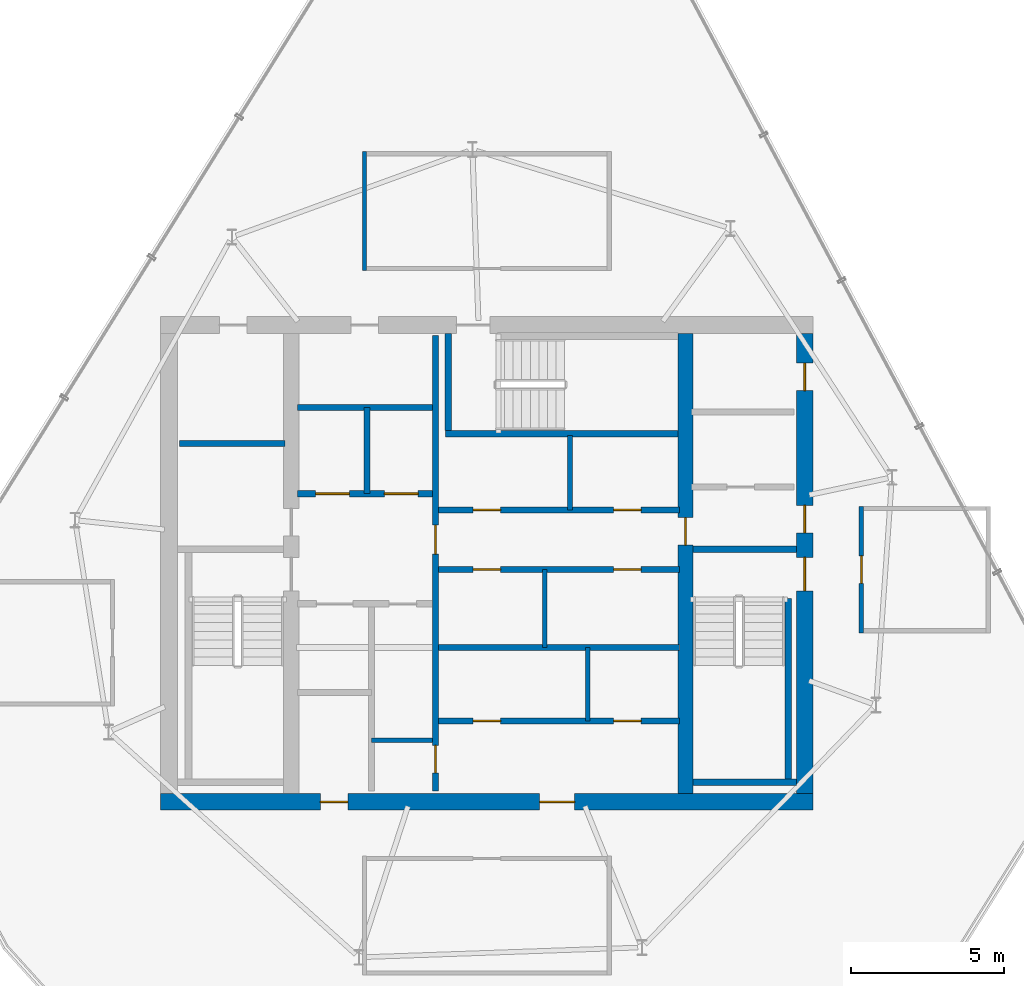
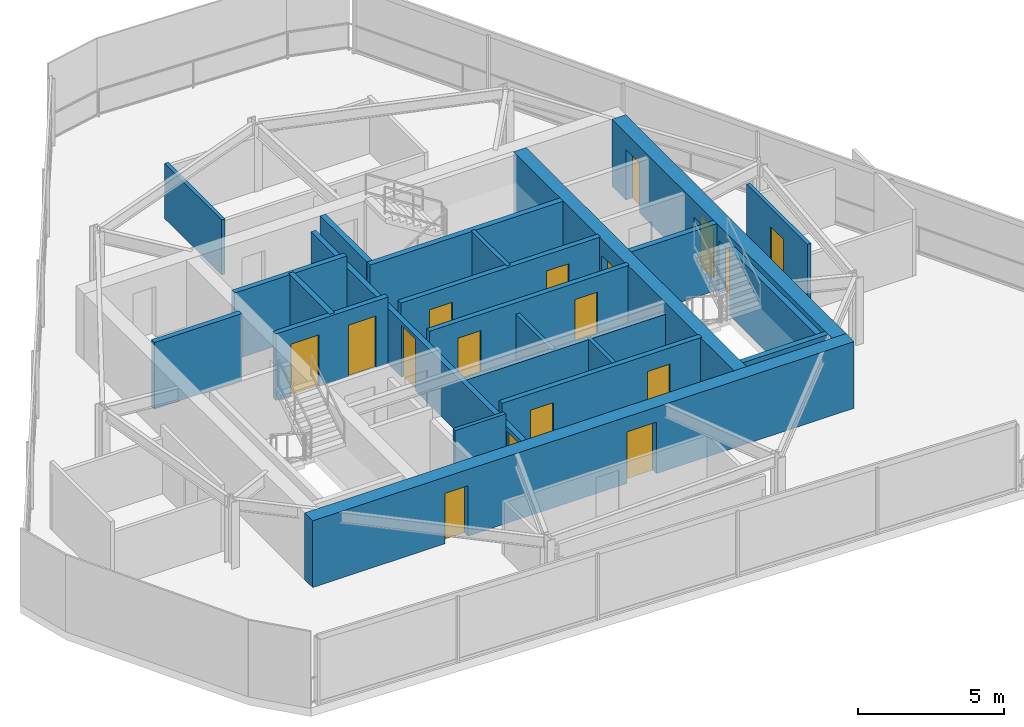
# One storey, part 14 of 16: 23 walls, 17 doors, 17 openings.
"""IFC4 building model written with IfcOpenShell, lengths in metres."""

from ifc_helpers import new_model, si_unit, direction, frame, frame_2d, origin, place, context, subcontext, project, spatial, rectangle, extrude, material, layer, layer_set, type_object, element, fill, save


model = new_model("IFC4")

# Units and contexts
model_context = context("Model", 3, precision=1e-05, world=origin(), true_north=direction((0.0, 1.0)))
body_context = subcontext(model_context, "Body", "Model", "MODEL_VIEW")
ifc_project = project(units=[si_unit("LENGTHUNIT", "METRE"), si_unit("AREAUNIT", "SQUARE_METRE"), si_unit("VOLUMEUNIT", "CUBIC_METRE"), si_unit("PLANEANGLEUNIT", "RADIAN"), si_unit("MASSUNIT", "GRAM", prefix="KILO")], contexts=[model_context])

# Site, building, storey
site_placement = place(None, origin())
site = spatial("IfcSite", under=ifc_project, at=site_placement, CompositionType="ELEMENT")
building_placement = place(site_placement, origin())
building = spatial("IfcBuilding", under=site, at=building_placement, Name="Qarnah Convention Tower", CompositionType="ELEMENT")
storey_placement = place(building_placement, frame((0.0, 0.0, 286.699951171875)))
storey = spatial("IfcBuildingStorey", under=building, at=storey_placement, Name="L77", CompositionType="ELEMENT", Elevation=286.699951171875)

# Wall, openings, doors
ifc_material_1 = material(Name="Concrete C60/75", Category="concrete")
ifc_layer_1 = layer(ifc_material_1, 0.550048828125)
ifc_layer_set_1 = layer_set([ifc_layer_1], Name="Concrete C60/75")
wall_type_1 = type_object("IfcWallType", Name="WL-CORE-550", PredefinedType="SHEAR", material=ifc_layer_set_1)
wall_1_placement = place(storey_placement, frame((26.52490234375, 18.60009765625, 0.0), z_axis=(0.0, 0.0, 1.0), x_axis=(1.0, 0.0, 0.0)))
wall_1 = element("IfcWall", 1, at=wall_1_placement, inside=storey, type_object=wall_type_1, Name="L77 core south shear wall", PredefinedType="SHEAR", context=body_context, shape_type="SweptSolid", body=[
    extrude(rectangle(XDim=21.35009765625, YDim=0.550048828125, at=frame_2d((10.675048828125, 0.0))), origin(), (0.0, 0.0, 1.0), 2.780029296875),
])
opening_1_placement = place(wall_1_placement, frame((12.39990234375, 0.0, 0.0)))
opening_1 = element("IfcOpeningElement", 2, at=opening_1_placement, cuts=wall_1, Name="Opening D-7707", PredefinedType="OPENING", context=body_context, shape_type="SweptSolid", body=[
    extrude(rectangle(XDim=1.14990234375, YDim=2.14990234375, at=frame_2d((0.574951171875, 1.074951171875))), frame((0.0, 0.284912109375, 0.0), z_axis=(0.0, -1.0, 0.0), x_axis=(1.0, 0.0, 0.0)), (0.0, 0.0, 1.0), 0.570068359375),
])
opening_2_placement = place(wall_1_placement, frame((5.22509765625, 0.0, 0.0)))
opening_2 = element("IfcOpeningElement", 3, at=opening_2_placement, cuts=wall_1, Name="Opening D-7713", PredefinedType="OPENING", context=body_context, shape_type="SweptSolid", body=[
    extrude(rectangle(XDim=0.89990234375, YDim=2.10009765625, at=frame_2d((0.449951171875, 1.050048828125))), frame((0.0, 0.284912109375, 0.0), z_axis=(0.0, -1.0, 0.0), x_axis=(1.0, 0.0, 0.0)), (0.0, 0.0, 1.0), 0.570068359375),
])
ifc_material_2 = material(Name="Structural steel S355JR", Category="steel")
door_type_1 = type_object("IfcDoorType", Name="DT-LOBBY-1150", OperationType="NOTDEFINED", PredefinedType="DOOR", material=ifc_material_2)
door_1_placement = place(opening_1_placement, origin())
door_1 = element("IfcDoor", 4, at=door_1_placement, inside=storey, type_object=door_type_1, Name="Door D-7707", OperationType="SINGLE_SWING_LEFT", OverallHeight=2.14990234375, OverallWidth=1.14990234375, PredefinedType="DOOR", context=body_context, shape_type="SweptSolid", body=[
    extrude(rectangle(XDim=1.14990234375, YDim=2.14990234375, at=frame_2d((0.574951171875, 1.074951171875))), frame((0.0, 0.02490234375, 0.0), z_axis=(0.0, -1.0, 0.0), x_axis=(1.0, 0.0, 0.0)), (0.0, 0.0, 1.0), 0.050048828125),
])
fill(opening_1, door_1)
door_type_2 = type_object("IfcDoorType", Name="DT-RISER-900", OperationType="NOTDEFINED", PredefinedType="DOOR", material=ifc_material_2)
door_2_placement = place(opening_2_placement, origin())
door_2 = element("IfcDoor", 5, at=door_2_placement, inside=storey, type_object=door_type_2, Name="Door D-7713", OperationType="SINGLE_SWING_LEFT", OverallHeight=2.10009765625, OverallWidth=0.89990234375, PredefinedType="DOOR", context=body_context, shape_type="SweptSolid", body=[
    extrude(rectangle(XDim=0.89990234375, YDim=2.10009765625, at=frame_2d((0.449951171875, 1.050048828125))), frame((0.0, 0.02490234375, 0.0), z_axis=(0.0, -1.0, 0.0), x_axis=(1.0, 0.0, 0.0)), (0.0, 0.0, 1.0), 0.050048828125),
])
fill(opening_2, door_2)

wall_2_placement = place(storey_placement, frame((47.60009765625, 18.875, 0.0), z_axis=(0.0, 0.0, 1.0), x_axis=(0.0, 1.0, 0.0)))
wall_2 = element("IfcWall", 6, at=wall_2_placement, inside=storey, type_object=wall_type_1, Name="L77 core east shear wall", PredefinedType="SHEAR", context=body_context, shape_type="SweptSolid", body=[
    extrude(rectangle(XDim=15.050048828125, YDim=0.550048828125, at=frame_2d((7.52490234375, 0.0))), origin(), (0.0, 0.0, 1.0), 2.780029296875),
])
opening_3_placement = place(wall_2_placement, frame((6.625, 0.0, 0.0)))
opening_3 = element("IfcOpeningElement", 7, at=opening_3_placement, cuts=wall_2, Name="Opening D-7702", PredefinedType="OPENING", context=body_context, shape_type="SweptSolid", body=[
    extrude(rectangle(XDim=1.10009765625, YDim=2.14990234375, at=frame_2d((0.550048828125, 1.074951171875))), frame((0.0, 0.284912109375, 0.0), z_axis=(0.0, -1.0, 0.0), x_axis=(1.0, 0.0, 0.0)), (0.0, 0.0, 1.0), 0.570068359375),
])
opening_4_placement = place(wall_2_placement, frame((8.52490234375, 0.0, 0.0)))
opening_4 = element("IfcOpeningElement", 8, at=opening_4_placement, cuts=wall_2, Name="Opening D-7706", PredefinedType="OPENING", context=body_context, shape_type="SweptSolid", body=[
    extrude(rectangle(XDim=0.89990234375, YDim=2.10009765625, at=frame_2d((0.449951171875, 1.050048828125))), frame((0.0, 0.284912109375, 0.0), z_axis=(0.0, -1.0, 0.0), x_axis=(1.0, 0.0, 0.0)), (0.0, 0.0, 1.0), 0.570068359375),
])
opening_5_placement = place(wall_2_placement, frame((13.175048828125, 0.0, 0.0)))
opening_5 = element("IfcOpeningElement", 9, at=opening_5_placement, cuts=wall_2, Name="Opening D-7712", PredefinedType="OPENING", context=body_context, shape_type="SweptSolid", body=[
    extrude(rectangle(XDim=0.89990234375, YDim=2.10009765625, at=frame_2d((0.449951171875, 1.050048828125))), frame((0.0, 0.284912109375, 0.0), z_axis=(0.0, -1.0, 0.0), x_axis=(1.0, 0.0, 0.0)), (0.0, 0.0, 1.0), 0.570068359375),
])
door_3_placement = place(opening_4_placement, origin())
door_3 = element("IfcDoor", 10, at=door_3_placement, inside=storey, type_object=door_type_2, Name="Door D-7706", OperationType="SINGLE_SWING_RIGHT", OverallHeight=2.10009765625, OverallWidth=0.89990234375, PredefinedType="DOOR", context=body_context, shape_type="SweptSolid", body=[
    extrude(rectangle(XDim=0.89990234375, YDim=2.10009765625, at=frame_2d((0.449951171875, 1.050048828125))), frame((0.0, 0.02490234375, 0.0), z_axis=(0.0, -1.0, 0.0), x_axis=(1.0, 0.0, 0.0)), (0.0, 0.0, 1.0), 0.050048828125),
])
fill(opening_4, door_3)
door_4_placement = place(opening_5_placement, origin())
door_4 = element("IfcDoor", 11, at=door_4_placement, inside=storey, type_object=door_type_2, Name="Door D-7712", OperationType="SINGLE_SWING_RIGHT", OverallHeight=2.10009765625, OverallWidth=0.89990234375, PredefinedType="DOOR", context=body_context, shape_type="SweptSolid", body=[
    extrude(rectangle(XDim=0.89990234375, YDim=2.10009765625, at=frame_2d((0.449951171875, 1.050048828125))), frame((0.0, 0.02490234375, 0.0), z_axis=(0.0, -1.0, 0.0), x_axis=(1.0, 0.0, 0.0)), (0.0, 0.0, 1.0), 0.050048828125),
])
fill(opening_5, door_4)
door_type_3 = type_object("IfcDoorType", Name="DT-STAIR-1100", OperationType="NOTDEFINED", PredefinedType="DOOR", material=ifc_material_2)
door_5_placement = place(opening_3_placement, origin())
door_5 = element("IfcDoor", 12, at=door_5_placement, inside=storey, type_object=door_type_3, Name="Door D-7702", OperationType="SINGLE_SWING_RIGHT", OverallHeight=2.14990234375, OverallWidth=1.10009765625, PredefinedType="DOOR", context=body_context, shape_type="SweptSolid", body=[
    extrude(rectangle(XDim=1.10009765625, YDim=2.14990234375, at=frame_2d((0.550048828125, 1.074951171875))), frame((0.0, 0.02490234375, 0.0), z_axis=(0.0, -1.0, 0.0), x_axis=(1.0, 0.0, 0.0)), (0.0, 0.0, 1.0), 0.050048828125),
])
fill(opening_3, door_5)

# Wall, opening, door
ifc_layer_2 = layer(ifc_material_1, 0.5)
ifc_layer_set_2 = layer_set([ifc_layer_2], Name="Concrete C60/75")
wall_type_2 = type_object("IfcWallType", Name="WL-CORE-INT-400", PredefinedType="SHEAR", material=ifc_layer_set_2)
wall_3_placement = place(storey_placement, frame((43.699951171875, 18.875, 0.0), z_axis=(0.0, 0.0, 1.0), x_axis=(0.0, 1.0, 0.0)))
wall_3 = element("IfcWall", 13, at=wall_3_placement, inside=storey, type_object=wall_type_2, Name="L77 core east spine shear wall", PredefinedType="SHEAR", context=body_context, shape_type="SweptSolid", body=[
    extrude(rectangle(XDim=15.050048828125, YDim=0.5, at=frame_2d((7.52490234375, 0.0))), origin(), (0.0, 0.0, 1.0), 2.780029296875),
])
opening_6_placement = place(wall_3_placement, frame((8.125, 0.0, 0.0)))
opening_6 = element("IfcOpeningElement", 14, at=opening_6_placement, cuts=wall_3, Name="Opening D-7705", PredefinedType="OPENING", context=body_context, shape_type="SweptSolid", body=[
    extrude(rectangle(XDim=0.89990234375, YDim=2.10009765625, at=frame_2d((0.449951171875, 1.050048828125))), frame((0.0, 0.260009765625, 0.0), z_axis=(0.0, -1.0, 0.0), x_axis=(1.0, 0.0, 0.0)), (0.0, 0.0, 1.0), 0.52001953125),
])
door_6_placement = place(opening_6_placement, origin())
door_6 = element("IfcDoor", 15, at=door_6_placement, inside=storey, type_object=door_type_2, Name="Door D-7705", OperationType="SINGLE_SWING_LEFT", OverallHeight=2.10009765625, OverallWidth=0.89990234375, PredefinedType="DOOR", context=body_context, shape_type="SweptSolid", body=[
    extrude(rectangle(XDim=0.89990234375, YDim=2.10009765625, at=frame_2d((0.449951171875, 1.050048828125))), frame((0.0, 0.02490234375, 0.0), z_axis=(0.0, -1.0, 0.0), x_axis=(1.0, 0.0, 0.0)), (0.0, 0.0, 1.0), 0.050048828125),
])
fill(opening_6, door_6)

# Wall
ifc_material_3 = material(Name="Concrete C45/55", Category="concrete")
ifc_layer_3 = layer(ifc_material_3, 0.199951171875)
ifc_layer_set_3 = layer_set([ifc_layer_3], Name="Concrete C45/55")
wall_type_3 = type_object("IfcWallType", Name="WL-CORE-PART-200", PredefinedType="SOLIDWALL", material=ifc_layer_set_3)
wall_4_placement = place(storey_placement, frame((27.14990234375, 30.320068359375, 0.0), z_axis=(0.0, 0.0, 1.0), x_axis=(1.0, 0.0, 0.0)))
element("IfcWall", 16, at=wall_4_placement, inside=storey, type_object=wall_type_3, Name="L77 interior wall IW-L77-ELRN", PredefinedType="SOLIDWALL", context=body_context, shape_type="SweptSolid", body=[
    extrude(rectangle(XDim=3.4501953125, YDim=0.199951171875, at=frame_2d((1.72509765625, 0.0))), origin(), (0.0, 0.0, 1.0), 2.780029296875),
])

# Wall, openings, doors
wall_5_placement = place(storey_placement, frame((35.52001953125, 18.949951171875, 0.0), z_axis=(0.0, 0.0, 1.0), x_axis=(0.0, 1.0, 0.0)))
wall_5 = element("IfcWall", 17, at=wall_5_placement, inside=storey, type_object=wall_type_3, Name="L77 interior wall IW-L77-CSP", PredefinedType="SOLIDWALL", context=body_context, shape_type="SweptSolid", body=[
    extrude(rectangle(XDim=14.900146484375, YDim=0.199951171875, at=frame_2d((7.4501953125, 0.0))), origin(), (0.0, 0.0, 1.0), 2.301025390625),
])
opening_7_placement = place(wall_5_placement, frame((7.7548828125, 0.0, 0.0)))
opening_7 = element("IfcOpeningElement", 18, at=opening_7_placement, cuts=wall_5, Name="Opening D-7704", PredefinedType="OPENING", context=body_context, shape_type="SweptSolid", body=[
    extrude(rectangle(XDim=0.949951171875, YDim=2.14990234375, at=frame_2d((0.47509765625, 1.074951171875))), frame((0.0, 0.10986328125, 0.0), z_axis=(0.0, -1.0, 0.0), x_axis=(1.0, 0.0, 0.0)), (0.0, 0.0, 1.0), 0.219970703125),
])
opening_8_placement = place(wall_5_placement, frame((0.60009765625, 0.0, 0.0)))
opening_8 = element("IfcOpeningElement", 19, at=opening_8_placement, cuts=wall_5, Name="Opening D-7714", PredefinedType="OPENING", context=body_context, shape_type="SweptSolid", body=[
    extrude(rectangle(XDim=0.89990234375, YDim=2.10009765625, at=frame_2d((0.449951171875, 1.050048828125))), frame((0.0, 0.10986328125, 0.0), z_axis=(0.0, -1.0, 0.0), x_axis=(1.0, 0.0, 0.0)), (0.0, 0.0, 1.0), 0.219970703125),
])
ifc_material_4 = material(Name="Oak timber veneer", Category="wood")
door_type_4 = type_object("IfcDoorType", Name="DT-HOTEL-950", OperationType="NOTDEFINED", PredefinedType="DOOR", material=ifc_material_4)
door_7_placement = place(opening_7_placement, origin())
door_7 = element("IfcDoor", 20, at=door_7_placement, inside=storey, type_object=door_type_4, Name="Door D-7704", OperationType="SINGLE_SWING_RIGHT", OverallHeight=2.14990234375, OverallWidth=0.949951171875, PredefinedType="DOOR", context=body_context, shape_type="SweptSolid", body=[
    extrude(rectangle(XDim=0.949951171875, YDim=2.14990234375, at=frame_2d((0.47509765625, 1.074951171875))), frame((0.0, 0.02490234375, 0.0), z_axis=(0.0, -1.0, 0.0), x_axis=(1.0, 0.0, 0.0)), (0.0, 0.0, 1.0), 0.050048828125),
])
fill(opening_7, door_7)
door_8_placement = place(opening_8_placement, origin())
door_8 = element("IfcDoor", 21, at=door_8_placement, inside=storey, type_object=door_type_2, Name="Door D-7714", OperationType="SINGLE_SWING_RIGHT", OverallHeight=2.10009765625, OverallWidth=0.89990234375, PredefinedType="DOOR", context=body_context, shape_type="SweptSolid", body=[
    extrude(rectangle(XDim=0.89990234375, YDim=2.10009765625, at=frame_2d((0.449951171875, 1.050048828125))), frame((0.0, 0.02490234375, 0.0), z_axis=(0.0, -1.0, 0.0), x_axis=(1.0, 0.0, 0.0)), (0.0, 0.0, 1.0), 0.050048828125),
])
fill(opening_8, door_8)

wall_6_placement = place(storey_placement, frame((31.0, 28.679931640625, 0.0), z_axis=(0.0, 0.0, 1.0), x_axis=(1.0, 0.0, 0.0)))
wall_6 = element("IfcWall", 22, at=wall_6_placement, inside=storey, type_object=wall_type_3, Name="L77 interior wall IW-L77-FFLS", PredefinedType="SOLIDWALL", context=body_context, shape_type="SweptSolid", body=[
    extrude(rectangle(XDim=4.419921875, YDim=0.199951171875, at=frame_2d((2.2099609375, 0.0))), origin(), (0.0, 0.0, 1.0), 2.780029296875),
])
opening_9_placement = place(wall_6_placement, frame((0.60009765625, 0.0, 0.0)))
opening_9 = element("IfcOpeningElement", 23, at=opening_9_placement, cuts=wall_6, Name="Opening LD-7701", PredefinedType="OPENING", context=body_context, shape_type="SweptSolid", body=[
    extrude(rectangle(XDim=1.10009765625, YDim=2.14990234375, at=frame_2d((0.550048828125, 1.074951171875))), frame((0.0, 0.10986328125, 0.0), z_axis=(0.0, -1.0, 0.0), x_axis=(1.0, 0.0, 0.0)), (0.0, 0.0, 1.0), 0.219970703125),
])
opening_10_placement = place(wall_6_placement, frame((2.85009765625, 0.0, 0.0)))
opening_10 = element("IfcOpeningElement", 24, at=opening_10_placement, cuts=wall_6, Name="Opening LD-7702", PredefinedType="OPENING", context=body_context, shape_type="SweptSolid", body=[
    extrude(rectangle(XDim=1.10009765625, YDim=2.14990234375, at=frame_2d((0.550048828125, 1.074951171875))), frame((0.0, 0.10986328125, 0.0), z_axis=(0.0, -1.0, 0.0), x_axis=(1.0, 0.0, 0.0)), (0.0, 0.0, 1.0), 0.219970703125),
])
door_type_5 = type_object("IfcDoorType", Name="DT-LIFT-1100", OperationType="SLIDING_TO_LEFT", PredefinedType="DOOR", material=ifc_material_2)
door_9_placement = place(opening_9_placement, origin())
door_9 = element("IfcDoor", 25, at=door_9_placement, inside=storey, type_object=door_type_5, Name="Door LD-7701", OperationType="SLIDING_TO_LEFT", OverallHeight=2.14990234375, OverallWidth=1.10009765625, PredefinedType="DOOR", context=body_context, shape_type="SweptSolid", body=[
    extrude(rectangle(XDim=1.10009765625, YDim=2.14990234375, at=frame_2d((0.550048828125, 1.074951171875))), frame((0.0, 0.02490234375, 0.0), z_axis=(0.0, -1.0, 0.0), x_axis=(1.0, 0.0, 0.0)), (0.0, 0.0, 1.0), 0.050048828125),
])
fill(opening_9, door_9)
door_10_placement = place(opening_10_placement, origin())
door_10 = element("IfcDoor", 26, at=door_10_placement, inside=storey, type_object=door_type_5, Name="Door LD-7702", OperationType="SLIDING_TO_LEFT", OverallHeight=2.14990234375, OverallWidth=1.10009765625, PredefinedType="DOOR", context=body_context, shape_type="SweptSolid", body=[
    extrude(rectangle(XDim=1.10009765625, YDim=2.14990234375, at=frame_2d((0.550048828125, 1.074951171875))), frame((0.0, 0.02490234375, 0.0), z_axis=(0.0, -1.0, 0.0), x_axis=(1.0, 0.0, 0.0)), (0.0, 0.0, 1.0), 0.050048828125),
])
fill(opening_10, door_10)

# Walls
wall_7_placement = place(storey_placement, frame((31.0, 31.5, 0.0), z_axis=(0.0, 0.0, 1.0), x_axis=(1.0, 0.0, 0.0)))
element("IfcWall", 27, at=wall_7_placement, inside=storey, type_object=wall_type_3, Name="L77 interior wall IW-L77-FFLN", PredefinedType="SOLIDWALL", context=body_context, shape_type="SweptSolid", body=[
    extrude(rectangle(XDim=4.419921875, YDim=0.199951171875, at=frame_2d((2.2099609375, 0.0))), origin(), (0.0, 0.0, 1.0), 2.780029296875),
])
wall_8_placement = place(storey_placement, frame((33.280029296875, 28.679931640625, 0.0), z_axis=(0.0, 0.0, 1.0), x_axis=(0.0, 1.0, 0.0)))
element("IfcWall", 28, at=wall_8_placement, inside=storey, type_object=wall_type_3, Name="L77 interior wall IW-L77-FFLM", PredefinedType="SOLIDWALL", context=body_context, shape_type="SweptSolid", body=[
    extrude(rectangle(XDim=2.820068359375, YDim=0.199951171875, at=frame_2d((1.41015625, 0.0))), origin(), (0.0, 0.0, 1.0), 2.780029296875),
])

# Wall, openings, doors
wall_9_placement = place(storey_placement, frame((35.6201171875, 28.14990234375, 0.0), z_axis=(0.0, 0.0, 1.0), x_axis=(1.0, 0.0, 0.0)))
wall_9 = element("IfcWall", 29, at=wall_9_placement, inside=storey, type_object=wall_type_3, Name="L77 interior wall IW-L77-PHS", PredefinedType="SOLIDWALL", context=body_context, shape_type="SweptSolid", body=[
    extrude(rectangle(XDim=7.8798828125, YDim=0.199951171875, at=frame_2d((3.93994140625, 0.0))), origin(), (0.0, 0.0, 1.0), 2.780029296875),
])
opening_11_placement = place(wall_9_placement, frame((1.1298828125, 0.0, 0.0)))
opening_11 = element("IfcOpeningElement", 30, at=opening_11_placement, cuts=wall_9, Name="Opening D-7720", PredefinedType="OPENING", context=body_context, shape_type="SweptSolid", body=[
    extrude(rectangle(XDim=0.89990234375, YDim=2.10009765625, at=frame_2d((0.449951171875, 1.050048828125))), frame((0.0, 0.10986328125, 0.0), z_axis=(0.0, -1.0, 0.0), x_axis=(1.0, 0.0, 0.0)), (0.0, 0.0, 1.0), 0.219970703125),
])
opening_12_placement = place(wall_9_placement, frame((5.72998046875, 0.0, 0.0)))
opening_12 = element("IfcOpeningElement", 31, at=opening_12_placement, cuts=wall_9, Name="Opening D-7721", PredefinedType="OPENING", context=body_context, shape_type="SweptSolid", body=[
    extrude(rectangle(XDim=0.89990234375, YDim=2.10009765625, at=frame_2d((0.449951171875, 1.050048828125))), frame((0.0, 0.10986328125, 0.0), z_axis=(0.0, -1.0, 0.0), x_axis=(1.0, 0.0, 0.0)), (0.0, 0.0, 1.0), 0.219970703125),
])
door_11_placement = place(opening_11_placement, origin())
door_11 = element("IfcDoor", 32, at=door_11_placement, inside=storey, type_object=door_type_2, Name="Door D-7720", OperationType="SINGLE_SWING_RIGHT", OverallHeight=2.10009765625, OverallWidth=0.89990234375, PredefinedType="DOOR", context=body_context, shape_type="SweptSolid", body=[
    extrude(rectangle(XDim=0.89990234375, YDim=2.10009765625, at=frame_2d((0.449951171875, 1.050048828125))), frame((0.0, 0.02490234375, 0.0), z_axis=(0.0, -1.0, 0.0), x_axis=(1.0, 0.0, 0.0)), (0.0, 0.0, 1.0), 0.050048828125),
])
fill(opening_11, door_11)
door_12_placement = place(opening_12_placement, origin())
door_12 = element("IfcDoor", 33, at=door_12_placement, inside=storey, type_object=door_type_2, Name="Door D-7721", OperationType="SINGLE_SWING_LEFT", OverallHeight=2.10009765625, OverallWidth=0.89990234375, PredefinedType="DOOR", context=body_context, shape_type="SweptSolid", body=[
    extrude(rectangle(XDim=0.89990234375, YDim=2.10009765625, at=frame_2d((0.449951171875, 1.050048828125))), frame((0.0, 0.02490234375, 0.0), z_axis=(0.0, -1.0, 0.0), x_axis=(1.0, 0.0, 0.0)), (0.0, 0.0, 1.0), 0.050048828125),
])
fill(opening_12, door_12)

wall_10_placement = place(storey_placement, frame((35.6201171875, 26.199951171875, 0.0), z_axis=(0.0, 0.0, 1.0), x_axis=(1.0, 0.0, 0.0)))
wall_10 = element("IfcWall", 34, at=wall_10_placement, inside=storey, type_object=wall_type_3, Name="L77 interior wall IW-L77-PMN", PredefinedType="SOLIDWALL", context=body_context, shape_type="SweptSolid", body=[
    extrude(rectangle(XDim=7.8798828125, YDim=0.199951171875, at=frame_2d((3.93994140625, 0.0))), origin(), (0.0, 0.0, 1.0), 2.780029296875),
])
opening_13_placement = place(wall_10_placement, frame((1.1298828125, 0.0, 0.0)))
opening_13 = element("IfcOpeningElement", 35, at=opening_13_placement, cuts=wall_10, Name="Opening D-7718", PredefinedType="OPENING", context=body_context, shape_type="SweptSolid", body=[
    extrude(rectangle(XDim=0.89990234375, YDim=2.10009765625, at=frame_2d((0.449951171875, 1.050048828125))), frame((0.0, 0.10986328125, 0.0), z_axis=(0.0, -1.0, 0.0), x_axis=(1.0, 0.0, 0.0)), (0.0, 0.0, 1.0), 0.219970703125),
])
opening_14_placement = place(wall_10_placement, frame((5.72998046875, 0.0, 0.0)))
opening_14 = element("IfcOpeningElement", 36, at=opening_14_placement, cuts=wall_10, Name="Opening D-7719", PredefinedType="OPENING", context=body_context, shape_type="SweptSolid", body=[
    extrude(rectangle(XDim=0.89990234375, YDim=2.10009765625, at=frame_2d((0.449951171875, 1.050048828125))), frame((0.0, 0.10986328125, 0.0), z_axis=(0.0, -1.0, 0.0), x_axis=(1.0, 0.0, 0.0)), (0.0, 0.0, 1.0), 0.219970703125),
])
door_13_placement = place(opening_13_placement, origin())
door_13 = element("IfcDoor", 37, at=door_13_placement, inside=storey, type_object=door_type_2, Name="Door D-7718", OperationType="SINGLE_SWING_RIGHT", OverallHeight=2.10009765625, OverallWidth=0.89990234375, PredefinedType="DOOR", context=body_context, shape_type="SweptSolid", body=[
    extrude(rectangle(XDim=0.89990234375, YDim=2.10009765625, at=frame_2d((0.449951171875, 1.050048828125))), frame((0.0, 0.02490234375, 0.0), z_axis=(0.0, -1.0, 0.0), x_axis=(1.0, 0.0, 0.0)), (0.0, 0.0, 1.0), 0.050048828125),
])
fill(opening_13, door_13)
door_14_placement = place(opening_14_placement, origin())
door_14 = element("IfcDoor", 38, at=door_14_placement, inside=storey, type_object=door_type_2, Name="Door D-7719", OperationType="SINGLE_SWING_LEFT", OverallHeight=2.10009765625, OverallWidth=0.89990234375, PredefinedType="DOOR", context=body_context, shape_type="SweptSolid", body=[
    extrude(rectangle(XDim=0.89990234375, YDim=2.10009765625, at=frame_2d((0.449951171875, 1.050048828125))), frame((0.0, 0.02490234375, 0.0), z_axis=(0.0, -1.0, 0.0), x_axis=(1.0, 0.0, 0.0)), (0.0, 0.0, 1.0), 0.050048828125),
])
fill(opening_14, door_14)

# Wall
wall_11_placement = place(storey_placement, frame((35.6201171875, 23.64990234375, 0.0), z_axis=(0.0, 0.0, 1.0), x_axis=(1.0, 0.0, 0.0)))
element("IfcWall", 39, at=wall_11_placement, inside=storey, type_object=wall_type_3, Name="L77 interior wall IW-L77-PMPL", PredefinedType="SOLIDWALL", context=body_context, shape_type="SweptSolid", body=[
    extrude(rectangle(XDim=7.8798828125, YDim=0.199951171875, at=frame_2d((3.93994140625, 0.0))), origin(), (0.0, 0.0, 1.0), 2.301025390625),
])

# Wall, openings, doors
wall_12_placement = place(storey_placement, frame((35.6201171875, 21.25, 0.0), z_axis=(0.0, 0.0, 1.0), x_axis=(1.0, 0.0, 0.0)))
wall_12 = element("IfcWall", 40, at=wall_12_placement, inside=storey, type_object=wall_type_3, Name="L77 interior wall IW-L77-PLS", PredefinedType="SOLIDWALL", context=body_context, shape_type="SweptSolid", body=[
    extrude(rectangle(XDim=7.8798828125, YDim=0.199951171875, at=frame_2d((3.93994140625, 0.0))), origin(), (0.0, 0.0, 1.0), 2.780029296875),
])
opening_15_placement = place(wall_12_placement, frame((1.1298828125, 0.0, 0.0)))
opening_15 = element("IfcOpeningElement", 41, at=opening_15_placement, cuts=wall_12, Name="Opening D-7716", PredefinedType="OPENING", context=body_context, shape_type="SweptSolid", body=[
    extrude(rectangle(XDim=0.89990234375, YDim=2.10009765625, at=frame_2d((0.449951171875, 1.050048828125))), frame((0.0, 0.10986328125, 0.0), z_axis=(0.0, -1.0, 0.0), x_axis=(1.0, 0.0, 0.0)), (0.0, 0.0, 1.0), 0.219970703125),
])
opening_16_placement = place(wall_12_placement, frame((5.72998046875, 0.0, 0.0)))
opening_16 = element("IfcOpeningElement", 42, at=opening_16_placement, cuts=wall_12, Name="Opening D-7717", PredefinedType="OPENING", context=body_context, shape_type="SweptSolid", body=[
    extrude(rectangle(XDim=0.89990234375, YDim=2.10009765625, at=frame_2d((0.449951171875, 1.050048828125))), frame((0.0, 0.10986328125, 0.0), z_axis=(0.0, -1.0, 0.0), x_axis=(1.0, 0.0, 0.0)), (0.0, 0.0, 1.0), 0.219970703125),
])
door_15_placement = place(opening_15_placement, origin())
door_15 = element("IfcDoor", 43, at=door_15_placement, inside=storey, type_object=door_type_2, Name="Door D-7716", OperationType="SINGLE_SWING_RIGHT", OverallHeight=2.10009765625, OverallWidth=0.89990234375, PredefinedType="DOOR", context=body_context, shape_type="SweptSolid", body=[
    extrude(rectangle(XDim=0.89990234375, YDim=2.10009765625, at=frame_2d((0.449951171875, 1.050048828125))), frame((0.0, 0.02490234375, 0.0), z_axis=(0.0, -1.0, 0.0), x_axis=(1.0, 0.0, 0.0)), (0.0, 0.0, 1.0), 0.050048828125),
])
fill(opening_15, door_15)
door_16_placement = place(opening_16_placement, origin())
door_16 = element("IfcDoor", 44, at=door_16_placement, inside=storey, type_object=door_type_2, Name="Door D-7717", OperationType="SINGLE_SWING_LEFT", OverallHeight=2.10009765625, OverallWidth=0.89990234375, PredefinedType="DOOR", context=body_context, shape_type="SweptSolid", body=[
    extrude(rectangle(XDim=0.89990234375, YDim=2.10009765625, at=frame_2d((0.449951171875, 1.050048828125))), frame((0.0, 0.02490234375, 0.0), z_axis=(0.0, -1.0, 0.0), x_axis=(1.0, 0.0, 0.0)), (0.0, 0.0, 1.0), 0.050048828125),
])
fill(opening_16, door_16)

# Walls
ifc_layer_4 = layer(ifc_material_1, 0.219970703125)
ifc_layer_set_4 = layer_set([ifc_layer_4], Name="Concrete C60/75")
wall_type_4 = type_object("IfcWallType", Name="WL-CORE-STAIR-220", PredefinedType="SHEAR", material=ifc_layer_set_4)
wall_13_placement = place(storey_placement, frame((43.949951171875, 26.860107421875, 0.0), z_axis=(0.0, 0.0, 1.0), x_axis=(1.0, 0.0, 0.0)))
element("IfcWall", 45, at=wall_13_placement, inside=storey, type_object=wall_type_4, Name="L77 stair shaft shear wall SW-L77-ST2N", PredefinedType="SHEAR", context=body_context, shape_type="SweptSolid", body=[
    extrude(rectangle(XDim=3.375, YDim=0.219970703125, at=frame_2d((1.6875, 0.0))), origin(), (0.0, 0.0, 1.0), 2.780029296875),
])
wall_14_placement = place(storey_placement, frame((47.06005859375, 19.35009765625, 0.0), z_axis=(0.0, 0.0, 1.0), x_axis=(0.0, 1.0, 0.0)))
element("IfcWall", 46, at=wall_14_placement, inside=storey, type_object=wall_type_4, Name="L77 stair shaft shear wall SW-L77-ST2E", PredefinedType="SHEAR", context=body_context, shape_type="SweptSolid", body=[
    extrude(rectangle(XDim=5.89990234375, YDim=0.219970703125, at=frame_2d((2.949951171875, 0.0))), origin(), (0.0, 0.0, 1.0), 2.780029296875),
])
wall_15_placement = place(storey_placement, frame((43.949951171875, 19.239990234375, 0.0), z_axis=(0.0, 0.0, 1.0), x_axis=(1.0, 0.0, 0.0)))
element("IfcWall", 47, at=wall_15_placement, inside=storey, type_object=wall_type_4, Name="L77 stair shaft shear wall SW-L77-ST2S", PredefinedType="SHEAR", context=body_context, shape_type="SweptSolid", body=[
    extrude(rectangle(XDim=3.375, YDim=0.219970703125, at=frame_2d((1.6875, 0.0))), origin(), (0.0, 0.0, 1.0), 2.780029296875),
])
wall_16_placement = place(storey_placement, frame((35.840087890625, 30.639892578125, 0.0), z_axis=(0.0, 0.0, 1.0), x_axis=(1.0, 0.0, 0.0)))
element("IfcWall", 48, at=wall_16_placement, inside=storey, type_object=wall_type_4, Name="L77 stair shaft shear wall SW-L77-ST3S", PredefinedType="SHEAR", context=body_context, shape_type="SweptSolid", body=[
    extrude(rectangle(XDim=7.60986328125, YDim=0.219970703125, at=frame_2d((3.804931640625, 0.0))), origin(), (0.0, 0.0, 1.0), 2.780029296875),
])
wall_17_placement = place(storey_placement, frame((35.93994140625, 30.75, 0.0), z_axis=(0.0, 0.0, 1.0), x_axis=(0.0, 1.0, 0.0)))
element("IfcWall", 49, at=wall_17_placement, inside=storey, type_object=wall_type_4, Name="L77 stair shaft shear wall SW-L77-ST3W", PredefinedType="SHEAR", context=body_context, shape_type="SweptSolid", body=[
    extrude(rectangle(XDim=3.175048828125, YDim=0.219970703125, at=frame_2d((1.58740234375, 0.0))), origin(), (0.0, 0.0, 1.0), 2.780029296875),
])
ifc_material_5 = material(Name="Gypsum partition board")
ifc_layer_5 = layer(ifc_material_5, 0.14990234375)
ifc_layer_set_5 = layer_set([ifc_layer_5], Name="Gypsum partition board")
wall_type_5 = type_object("IfcWallType", Name="WL-SUITE-150", PredefinedType="PARTITIONING", material=ifc_layer_set_5)
wall_18_placement = place(storey_placement, frame((33.419921875, 20.6201171875, 0.0), z_axis=(0.0, 0.0, 1.0), x_axis=(1.0, 0.0, 0.0)))
element("IfcWall", 50, at=wall_18_placement, inside=storey, type_object=wall_type_5, Name="L77 interior wall IW-L77-CSV1", PredefinedType="PARTITIONING", context=body_context, shape_type="SweptSolid", body=[
    extrude(rectangle(XDim=2.0, YDim=0.14990234375, at=frame_2d((1.0, 0.0))), origin(), (0.0, 0.0, 1.0), 2.780029296875),
])
wall_19_placement = place(storey_placement, frame((39.919921875, 28.14990234375, 0.0), z_axis=(0.0, 0.0, 1.0), x_axis=(0.0, 1.0, 0.0)))
element("IfcWall", 51, at=wall_19_placement, inside=storey, type_object=wall_type_5, Name="L77 interior wall IW-L77-PHFD", PredefinedType="PARTITIONING", context=body_context, shape_type="SweptSolid", body=[
    extrude(rectangle(XDim=2.43017578125, YDim=0.14990234375, at=frame_2d((1.215087890625, 0.0))), origin(), (0.0, 0.0, 1.0), 2.780029296875),
])
wall_20_placement = place(storey_placement, frame((39.10009765625, 23.64990234375, 0.0), z_axis=(0.0, 0.0, 1.0), x_axis=(0.0, 1.0, 0.0)))
element("IfcWall", 52, at=wall_20_placement, inside=storey, type_object=wall_type_5, Name="L77 interior wall IW-L77-PMFD", PredefinedType="PARTITIONING", context=body_context, shape_type="SweptSolid", body=[
    extrude(rectangle(XDim=2.550048828125, YDim=0.14990234375, at=frame_2d((1.27490234375, 0.0))), origin(), (0.0, 0.0, 1.0), 2.301025390625),
])
wall_21_placement = place(storey_placement, frame((40.5, 21.25, 0.0), z_axis=(0.0, 0.0, 1.0), x_axis=(0.0, 1.0, 0.0)))
element("IfcWall", 53, at=wall_21_placement, inside=storey, type_object=wall_type_5, Name="L77 interior wall IW-L77-PLFD", PredefinedType="PARTITIONING", context=body_context, shape_type="SweptSolid", body=[
    extrude(rectangle(XDim=2.39990234375, YDim=0.14990234375, at=frame_2d((1.199951171875, 0.0))), origin(), (0.0, 0.0, 1.0), 2.301025390625),
])

# Wall, opening, door
ifc_layer_6 = layer(ifc_material_5, 0.139892578125)
ifc_layer_set_6 = layer_set([ifc_layer_6], Name="Gypsum partition board")
wall_type_6 = type_object("IfcWallType", Name="WL-WET-140", PredefinedType="PARTITIONING", material=ifc_layer_set_6)
wall_22_placement = place(storey_placement, frame((49.449951171875, 28.27001953125, 0.0), z_axis=(0.0, 0.0, 1.0), x_axis=(0.0, -1.0, 0.0)))
wall_22 = element("IfcWall", 54, at=wall_22_placement, inside=storey, type_object=wall_type_6, Name="L77 interior wall IW-L77-SWGP-4", PredefinedType="PARTITIONING", context=body_context, shape_type="SweptSolid", body=[
    extrude(rectangle(XDim=4.14013671875, YDim=0.139892578125, at=frame_2d((2.070068359375, 0.0))), origin(), (0.0, 0.0, 1.0), 2.780029296875),
])
opening_17_placement = place(wall_22_placement, frame((1.6201171875, 0.0, 0.0)))
opening_17 = element("IfcOpeningElement", 55, at=opening_17_placement, cuts=wall_22, Name="Opening D-7723", PredefinedType="OPENING", context=body_context, shape_type="SweptSolid", body=[
    extrude(rectangle(XDim=0.89990234375, YDim=2.0, at=frame_2d((0.449951171875, 1.0))), frame((0.0, 0.079833984375, 0.0), z_axis=(0.0, -1.0, 0.0), x_axis=(1.0, 0.0, 0.0)), (0.0, 0.0, 1.0), 0.159912109375),
])
door_type_6 = type_object("IfcDoorType", Name="DT-PLANT-900", OperationType="NOTDEFINED", PredefinedType="DOOR", material=ifc_material_2)
door_17_placement = place(opening_17_placement, origin())
door_17 = element("IfcDoor", 56, at=door_17_placement, inside=storey, type_object=door_type_6, Name="Door D-7723", OperationType="SINGLE_SWING_LEFT", OverallHeight=2.0, OverallWidth=0.89990234375, PredefinedType="DOOR", context=body_context, shape_type="SweptSolid", body=[
    extrude(rectangle(XDim=0.89990234375, YDim=2.0, at=frame_2d((0.449951171875, 1.0))), frame((0.0, 0.02490234375, 0.0), z_axis=(0.0, -1.0, 0.0), x_axis=(1.0, 0.0, 0.0)), (0.0, 0.0, 1.0), 0.050048828125),
])
fill(opening_17, door_17)

# Wall
wall_23_placement = place(storey_placement, frame((33.199951171875, 39.8701171875, 0.0), z_axis=(0.0, 0.0, 1.0), x_axis=(0.0, -1.0, 0.0)))
element("IfcWall", 57, at=wall_23_placement, inside=storey, type_object=wall_type_6, Name="L77 interior wall IW-L77-AHUP-4", PredefinedType="PARTITIONING", context=body_context, shape_type="SweptSolid", body=[
    extrude(rectangle(XDim=3.89013671875, YDim=0.139892578125, at=frame_2d((1.945068359375, 0.0))), origin(), (0.0, 0.0, 1.0), 2.304931640625),
])

save(model, "model.ifc")
